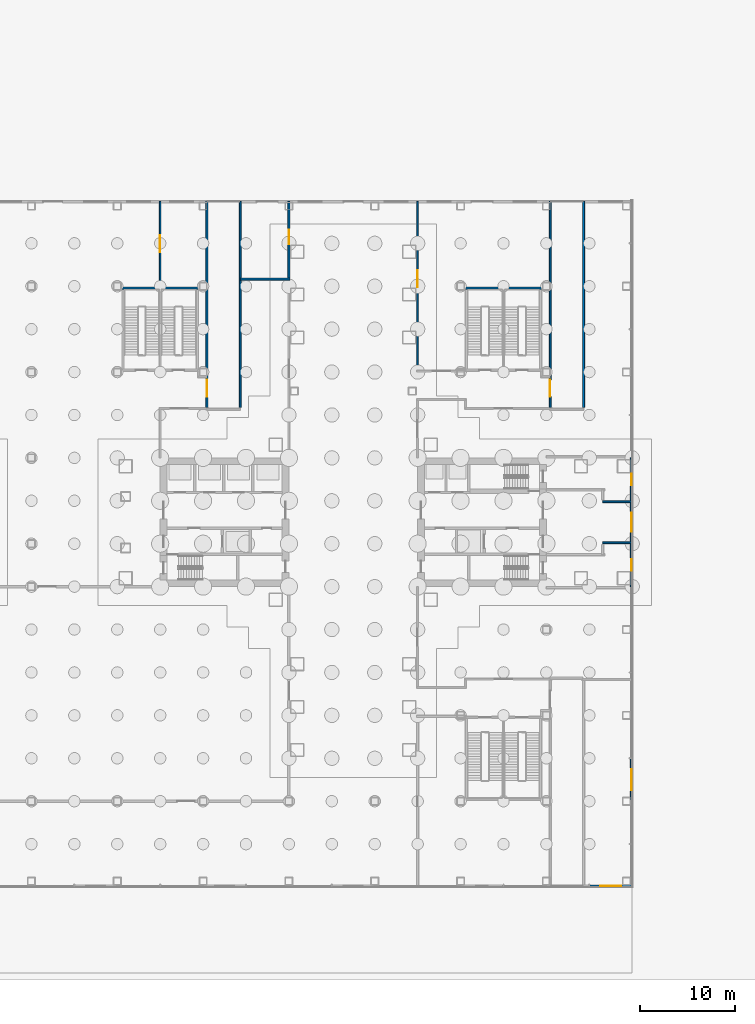
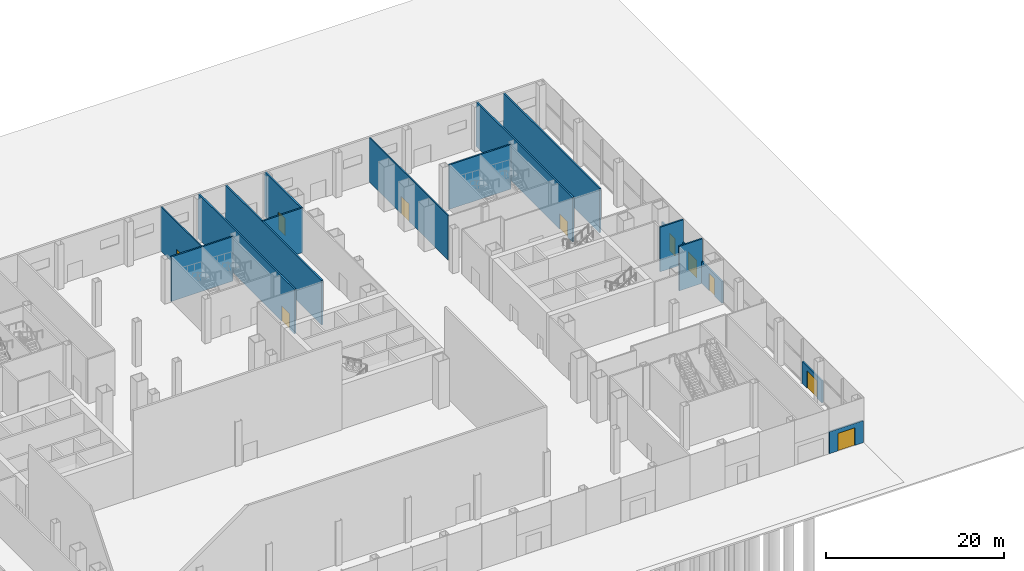
# One storey, part 26 of 37: 17 walls, 10 doors, 10 openings.
"""IFC4 building model written with IfcOpenShell, lengths in metres."""

from ifc_helpers import new_model, si_unit, direction, frame, frame_2d, origin, place, context, subcontext, project, spatial, rectangle, extrude, material, layer, layer_set, type_object, element, fill, save


model = new_model("IFC4")

# Units and contexts
model_context = context("Model", 3, precision=1e-05, world=origin(), true_north=direction((0.0, 1.0)))
body_context = subcontext(model_context, "Body", "Model", "MODEL_VIEW")
ifc_project = project(units=[si_unit("LENGTHUNIT", "METRE"), si_unit("AREAUNIT", "SQUARE_METRE"), si_unit("VOLUMEUNIT", "CUBIC_METRE"), si_unit("PLANEANGLEUNIT", "RADIAN"), si_unit("MASSUNIT", "GRAM", prefix="KILO")], contexts=[model_context])

# Site, building, storey
site_placement = place(None, origin())
site = spatial("IfcSite", under=ifc_project, at=site_placement, CompositionType="ELEMENT")
building_placement = place(site_placement, origin())
building = spatial("IfcBuilding", under=site, at=building_placement, Name="Shamsa Quay Exchange Towers", CompositionType="ELEMENT")
storey_placement = place(building_placement, origin())
storey = spatial("IfcBuildingStorey", under=building, at=storey_placement, Name="L00", CompositionType="ELEMENT", Elevation=0.0)

# Wall, opening, door
ifc_material_1 = material(Name="Aluminium EN AW-6063 T6, black anodised, with black enamelled glass infill", Category="aluminium")
ifc_layer_1 = layer(ifc_material_1, 0.199951171875)
ifc_layer_set_1 = layer_set([ifc_layer_1], Name="ENTRANCE DOOR BAY WALL 200")
wall_type_1 = type_object("IfcWallType", Name="ENTRANCE DOOR BAY WALL 200", PredefinedType="SOLIDWALL", material=ifc_layer_set_1)
wall_1_placement = place(storey_placement, frame((62.89990234375, 6.757080078125, 0.0), z_axis=(0.0, 0.0, 1.0), x_axis=(0.0, -1.0, 0.0)))
wall_1 = element("IfcWall", 1, at=wall_1_placement, inside=storey, type_object=wall_type_1, Name="Entrance bay Service door 1", PredefinedType="SOLIDWALL", context=body_context, shape_type="SweptSolid", body=[
    extrude(rectangle(XDim=4.51416015625, YDim=0.199951171875, at=frame_2d((2.257080078125, 0.0))), origin(), (0.0, 0.0, 1.0), 3.0),
])
opening_1_placement = place(wall_1_placement, frame((1.656982421875, 0.0, 0.0)))
opening_1 = element("IfcOpeningElement", 2, at=opening_1_placement, cuts=wall_1, Name="Opening XD001", PredefinedType="OPENING", context=body_context, shape_type="SweptSolid", body=[
    extrude(rectangle(XDim=1.199951171875, YDim=2.39990234375, at=frame_2d((0.60009765625, 1.199951171875))), frame((0.0, 0.10986328125, 0.0), z_axis=(0.0, -1.0, 0.0), x_axis=(1.0, 0.0, 0.0)), (0.0, 0.0, 1.0), 0.219970703125),
])
ifc_material_2 = material(Name="Aluminium EN AW-6063 T6, black anodised, with laminated glass leaves", Category="aluminium")
door_type_1 = type_object("IfcDoorType", Name="SERVICE DOOR 1200x2400", OperationType="SINGLE_SWING_RIGHT", PredefinedType="DOOR", material=ifc_material_2)
door_1_placement = place(opening_1_placement, origin())
door_1 = element("IfcDoor", 3, at=door_1_placement, inside=storey, type_object=door_type_1, Name="Service door Service door 1", OperationType="SINGLE_SWING_RIGHT", OverallHeight=2.39990234375, OverallWidth=1.199951171875, PredefinedType="DOOR", context=body_context, shape_type="SweptSolid", body=[
    extrude(rectangle(XDim=1.199951171875, YDim=2.39990234375, at=frame_2d((0.60009765625, 1.199951171875))), frame((0.0, 0.02490234375, 0.0), z_axis=(0.0, -1.0, 0.0), x_axis=(1.0, 0.0, 0.0)), (0.0, 0.0, 1.0), 0.050048828125),
])
fill(opening_1, door_1)

wall_2_placement = place(storey_placement, frame((62.89990234375, -2.242919921875, 0.0), z_axis=(0.0, 0.0, 1.0), x_axis=(0.0, -1.0, 0.0)))
wall_2 = element("IfcWall", 4, at=wall_2_placement, inside=storey, type_object=wall_type_1, Name="Entrance bay Service door 2", PredefinedType="SOLIDWALL", context=body_context, shape_type="SweptSolid", body=[
    extrude(rectangle(XDim=4.51416015625, YDim=0.199951171875, at=frame_2d((2.257080078125, 0.0))), origin(), (0.0, 0.0, 1.0), 3.0),
])
opening_2_placement = place(wall_2_placement, frame((1.656982421875, 0.0, 0.0)))
opening_2 = element("IfcOpeningElement", 5, at=opening_2_placement, cuts=wall_2, Name="Opening XD002", PredefinedType="OPENING", context=body_context, shape_type="SweptSolid", body=[
    extrude(rectangle(XDim=1.199951171875, YDim=2.39990234375, at=frame_2d((0.60009765625, 1.199951171875))), frame((0.0, 0.10986328125, 0.0), z_axis=(0.0, -1.0, 0.0), x_axis=(1.0, 0.0, 0.0)), (0.0, 0.0, 1.0), 0.219970703125),
])
door_2_placement = place(opening_2_placement, origin())
door_2 = element("IfcDoor", 6, at=door_2_placement, inside=storey, type_object=door_type_1, Name="Service door Service door 2", OperationType="SINGLE_SWING_RIGHT", OverallHeight=2.39990234375, OverallWidth=1.199951171875, PredefinedType="DOOR", context=body_context, shape_type="SweptSolid", body=[
    extrude(rectangle(XDim=1.199951171875, YDim=2.39990234375, at=frame_2d((0.60009765625, 1.199951171875))), frame((0.0, 0.02490234375, 0.0), z_axis=(0.0, -1.0, 0.0), x_axis=(1.0, 0.0, 0.0)), (0.0, 0.0, 1.0), 0.050048828125),
])
fill(opening_2, door_2)

wall_3_placement = place(storey_placement, frame((62.89990234375, 2.217041015625, 0.0), z_axis=(0.0, 0.0, 1.0), x_axis=(0.0, -1.0, 0.0)))
wall_3 = element("IfcWall", 7, at=wall_3_placement, inside=storey, type_object=wall_type_1, Name="Entrance bay Entrance 3", PredefinedType="SOLIDWALL", context=body_context, shape_type="SweptSolid", body=[
    extrude(rectangle(XDim=4.43408203125, YDim=0.199951171875, at=frame_2d((2.217041015625, 0.0))), origin(), (0.0, 0.0, 1.0), 3.0),
])
opening_3_placement = place(wall_3_placement, frame((1.217041015625, 0.0, 0.0)))
opening_3 = element("IfcOpeningElement", 8, at=opening_3_placement, cuts=wall_3, Name="Opening XD003", PredefinedType="OPENING", context=body_context, shape_type="SweptSolid", body=[
    extrude(rectangle(XDim=2.0, YDim=2.39990234375, at=frame_2d((1.0, 1.199951171875))), frame((0.0, 0.10986328125, 0.0), z_axis=(0.0, -1.0, 0.0), x_axis=(1.0, 0.0, 0.0)), (0.0, 0.0, 1.0), 0.219970703125),
])
door_type_2 = type_object("IfcDoorType", Name="ENTRANCE DOOR 2000x2400", OperationType="DOUBLE_DOOR_SINGLE_SWING", PredefinedType="DOOR", material=ifc_material_2)
door_3_placement = place(opening_3_placement, origin())
door_3 = element("IfcDoor", 9, at=door_3_placement, inside=storey, type_object=door_type_2, Name="Entrance door Entrance 3", OperationType="DOUBLE_DOOR_SINGLE_SWING", OverallHeight=2.39990234375, OverallWidth=2.0, PredefinedType="DOOR", context=body_context, shape_type="SweptSolid", body=[
    extrude(rectangle(XDim=2.0, YDim=2.39990234375, at=frame_2d((1.0, 1.199951171875))), frame((0.0, 0.02490234375, 0.0), z_axis=(0.0, -1.0, 0.0), x_axis=(1.0, 0.0, 0.0)), (0.0, 0.0, 1.0), 0.050048828125),
])
fill(opening_3, door_3)

wall_4_placement = place(storey_placement, frame((62.89990234375, -24.7900390625, 0.0), z_axis=(0.0, 0.0, 1.0), x_axis=(0.0, -1.0, 0.0)))
wall_4 = element("IfcWall", 10, at=wall_4_placement, inside=storey, type_object=wall_type_1, Name="Entrance bay Street door 4", PredefinedType="SOLIDWALL", context=body_context, shape_type="SweptSolid", body=[
    extrude(rectangle(XDim=4.419921875, YDim=0.199951171875, at=frame_2d((2.2099609375, 0.0))), origin(), (0.0, 0.0, 1.0), 3.0),
])
opening_4_placement = place(wall_4_placement, frame((1.110107421875, 0.0, 0.0)))
opening_4 = element("IfcOpeningElement", 11, at=opening_4_placement, cuts=wall_4, Name="Opening XD004", PredefinedType="OPENING", context=body_context, shape_type="SweptSolid", body=[
    extrude(rectangle(XDim=2.199951171875, YDim=2.39990234375, at=frame_2d((1.10009765625, 1.199951171875))), frame((0.0, 0.10986328125, 0.0), z_axis=(0.0, -1.0, 0.0), x_axis=(1.0, 0.0, 0.0)), (0.0, 0.0, 1.0), 0.219970703125),
])
door_type_3 = type_object("IfcDoorType", Name="SHOP DOOR 2200x2400", OperationType="DOUBLE_DOOR_SINGLE_SWING", PredefinedType="DOOR", material=ifc_material_2)
door_4_placement = place(opening_4_placement, origin())
door_4 = element("IfcDoor", 12, at=door_4_placement, inside=storey, type_object=door_type_3, Name="Shop door Street door 4", OperationType="DOUBLE_DOOR_SINGLE_SWING", OverallHeight=2.39990234375, OverallWidth=2.199951171875, PredefinedType="DOOR", context=body_context, shape_type="SweptSolid", body=[
    extrude(rectangle(XDim=2.199951171875, YDim=2.39990234375, at=frame_2d((1.10009765625, 1.199951171875))), frame((0.0, 0.02490234375, 0.0), z_axis=(0.0, -1.0, 0.0), x_axis=(1.0, 0.0, 0.0)), (0.0, 0.0, 1.0), 0.050048828125),
])
fill(opening_4, door_4)

wall_5_placement = place(storey_placement, frame((62.9599609375, -38.14990234375, 0.0), z_axis=(0.0, 0.0, 1.0), x_axis=(-1.0, 0.0, 0.0)))
wall_5 = element("IfcWall", 13, at=wall_5_placement, inside=storey, type_object=wall_type_1, Name="Entrance bay Street door 12", PredefinedType="SOLIDWALL", context=body_context, shape_type="SweptSolid", body=[
    extrude(rectangle(XDim=4.419921875, YDim=0.199951171875, at=frame_2d((2.2099609375, 0.0))), origin(), (0.0, 0.0, 1.0), 3.0),
])
opening_5_placement = place(wall_5_placement, frame((1.110107421875, 0.0, 0.0)))
opening_5 = element("IfcOpeningElement", 14, at=opening_5_placement, cuts=wall_5, Name="Opening XD034", PredefinedType="OPENING", context=body_context, shape_type="SweptSolid", body=[
    extrude(rectangle(XDim=2.199951171875, YDim=2.39990234375, at=frame_2d((1.10009765625, 1.199951171875))), frame((0.0, 0.10986328125, 0.0), z_axis=(0.0, -1.0, 0.0), x_axis=(1.0, 0.0, 0.0)), (0.0, 0.0, 1.0), 0.219970703125),
])
door_5_placement = place(opening_5_placement, origin())
door_5 = element("IfcDoor", 15, at=door_5_placement, inside=storey, type_object=door_type_3, Name="Shop door Street door 12", OperationType="DOUBLE_DOOR_SINGLE_SWING", OverallHeight=2.39990234375, OverallWidth=2.199951171875, PredefinedType="DOOR", context=body_context, shape_type="SweptSolid", body=[
    extrude(rectangle(XDim=2.199951171875, YDim=2.39990234375, at=frame_2d((1.10009765625, 1.199951171875))), frame((0.0, 0.02490234375, 0.0), z_axis=(0.0, -1.0, 0.0), x_axis=(1.0, 0.0, 0.0)), (0.0, 0.0, 1.0), 0.050048828125),
])
fill(opening_5, door_5)

ifc_material_3 = material(Name="Gypsum board partition on metal studs")
ifc_layer_2 = layer(ifc_material_3, 0.14990234375)
ifc_layer_set_2 = layer_set([ifc_layer_2], Name="Partition 150 mm EI 60")
wall_type_2 = type_object("IfcWallType", Name="Partition 150 mm EI 60", PredefinedType="PARTITIONING", material=ifc_layer_set_2)
wall_6_placement = place(storey_placement, frame((40.5, 15.924560546875, 0.0), z_axis=(0.0, 0.0, 1.0), x_axis=(0.0, 1.0, 0.0)))
wall_6 = element("IfcWall", 16, at=wall_6_placement, inside=storey, type_object=wall_type_2, Name="Partition PD-L00-W48", PredefinedType="PARTITIONING", context=body_context, shape_type="SweptSolid", body=[
    extrude(rectangle(XDim=17.73046875, YDim=0.14990234375, at=frame_2d((8.865234375, 0.0))), origin(), (0.0, 0.0, 1.0), 6.10009765625),
])
opening_6_placement = place(wall_6_placement, frame((8.72509765625, 0.0, 0.0)))
opening_6 = element("IfcOpeningElement", 17, at=opening_6_placement, cuts=wall_6, Name="Opening PD-L00-D33", PredefinedType="OPENING", context=body_context, shape_type="SweptSolid", body=[
    extrude(rectangle(XDim=1.800048828125, YDim=2.39990234375, at=frame_2d((0.89990234375, 1.199951171875))), frame((0.0, 0.0849609375, 0.0), z_axis=(0.0, -1.0, 0.0), x_axis=(1.0, 0.0, 0.0)), (0.0, 0.0, 1.0), 0.169921875),
])
ifc_material_4 = material(Name="Timber door leaf in a metal frame", Category="wood")
door_type_4 = type_object("IfcDoorType", Name="Door 1800x2400 FD30S pair", OperationType="NOTDEFINED", PredefinedType="DOOR", material=ifc_material_4)
door_6_placement = place(opening_6_placement, origin())
door_6 = element("IfcDoor", 18, at=door_6_placement, inside=storey, type_object=door_type_4, Name="Door PD-L00-D33", OperationType="DOUBLE_DOOR_SINGLE_SWING", OverallHeight=2.39990234375, OverallWidth=1.800048828125, PredefinedType="DOOR", context=body_context, shape_type="SweptSolid", body=[
    extrude(rectangle(XDim=1.800048828125, YDim=2.39990234375, at=frame_2d((0.89990234375, 1.199951171875))), frame((0.0, 0.02490234375, 0.0), z_axis=(0.0, -1.0, 0.0), x_axis=(1.0, 0.0, 0.0)), (0.0, 0.0, 1.0), 0.050048828125),
])
fill(opening_6, door_6)

wall_7_placement = place(storey_placement, frame((13.5, 24.650390625, 0.0), z_axis=(0.0, 0.0, 1.0), x_axis=(0.0, 1.0, 0.0)))
wall_7 = element("IfcWall", 19, at=wall_7_placement, inside=storey, type_object=wall_type_2, Name="Partition PD-L00-W60", PredefinedType="PARTITIONING", context=body_context, shape_type="SweptSolid", body=[
    extrude(rectangle(XDim=9.004638671875, YDim=0.14990234375, at=frame_2d((4.50244140625, 0.0))), origin(), (0.0, 0.0, 1.0), 6.10009765625),
])
opening_7_placement = place(wall_7_placement, frame((3.64990234375, 0.0, 0.0)))
opening_7 = element("IfcOpeningElement", 20, at=opening_7_placement, cuts=wall_7, Name="Opening PD-L00-D23", PredefinedType="OPENING", context=body_context, shape_type="SweptSolid", body=[
    extrude(rectangle(XDim=1.800048828125, YDim=2.39990234375, at=frame_2d((0.89990234375, 1.199951171875))), frame((0.0, 0.0849609375, 0.0), z_axis=(0.0, -1.0, 0.0), x_axis=(1.0, 0.0, 0.0)), (0.0, 0.0, 1.0), 0.169921875),
])
door_7_placement = place(opening_7_placement, origin())
door_7 = element("IfcDoor", 21, at=door_7_placement, inside=storey, type_object=door_type_4, Name="Door PD-L00-D23", OperationType="DOUBLE_DOOR_SINGLE_SWING", OverallHeight=2.39990234375, OverallWidth=1.800048828125, PredefinedType="DOOR", context=body_context, shape_type="SweptSolid", body=[
    extrude(rectangle(XDim=1.800048828125, YDim=2.39990234375, at=frame_2d((0.89990234375, 1.199951171875))), frame((0.0, 0.02490234375, 0.0), z_axis=(0.0, -1.0, 0.0), x_axis=(1.0, 0.0, 0.0)), (0.0, 0.0, 1.0), 0.050048828125),
])
fill(opening_7, door_7)

# Walls
ifc_layer_3 = layer(ifc_material_3, 0.199951171875)
ifc_layer_set_3 = layer_set([ifc_layer_3], Name="Partition 200 mm EI 120")
wall_type_3 = type_object("IfcWallType", Name="Partition 200 mm EI 120", PredefinedType="PARTITIONING", material=ifc_layer_set_3)
wall_8_placement = place(storey_placement, frame((59.89990234375, 2.14990234375, 0.0)))
element("IfcWall", 22, at=wall_8_placement, inside=storey, type_object=wall_type_3, Name="Partition PD-L00-W16", PredefinedType="PARTITIONING", context=body_context, shape_type="SweptSolid", body=[
    extrude(rectangle(XDim=3.005126953125, YDim=0.199951171875, at=frame_2d((1.50244140625, 0.0))), origin(), (0.0, 0.0, 1.0), 6.10009765625),
])
wall_9_placement = place(storey_placement, frame((62.905029296875, -2.14990234375, 0.0), z_axis=(0.0, 0.0, 1.0), x_axis=(-1.0, 0.0, 0.0)))
element("IfcWall", 23, at=wall_9_placement, inside=storey, type_object=wall_type_3, Name="Partition PD-L00-W22", PredefinedType="PARTITIONING", context=body_context, shape_type="SweptSolid", body=[
    extrude(rectangle(XDim=3.005126953125, YDim=0.199951171875, at=frame_2d((1.50244140625, 0.0))), origin(), (0.0, 0.0, 1.0), 6.10009765625),
])

# Wall, opening, door
wall_10_placement = place(storey_placement, frame((18.39990234375, 33.655029296875, 0.0), z_axis=(0.0, 0.0, 1.0), x_axis=(0.0, -1.0, 0.0)))
wall_10 = element("IfcWall", 24, at=wall_10_placement, inside=storey, type_object=wall_type_3, Name="Partition PD-L00-W34", PredefinedType="PARTITIONING", context=body_context, shape_type="SweptSolid", body=[
    extrude(rectangle(XDim=21.604736328125, YDim=0.199951171875, at=frame_2d((10.80224609375, 0.0))), origin(), (0.0, 0.0, 1.0), 6.10009765625),
])
opening_8_placement = place(wall_10_placement, frame((18.704833984375, 0.0, 0.0)))
opening_8 = element("IfcOpeningElement", 25, at=opening_8_placement, cuts=wall_10, Name="Opening PD-L00-D24", PredefinedType="OPENING", context=body_context, shape_type="SweptSolid", body=[
    extrude(rectangle(XDim=1.800048828125, YDim=2.10009765625, at=frame_2d((0.89990234375, 1.050048828125))), frame((0.0, 0.10986328125, 0.0), z_axis=(0.0, -1.0, 0.0), x_axis=(1.0, 0.0, 0.0)), (0.0, 0.0, 1.0), 0.219970703125),
])
door_type_5 = type_object("IfcDoorType", Name="Door 1800x2100 FD90 pair", OperationType="NOTDEFINED", PredefinedType="DOOR", material=ifc_material_4)
door_8_placement = place(opening_8_placement, origin())
door_8 = element("IfcDoor", 26, at=door_8_placement, inside=storey, type_object=door_type_5, Name="Door PD-L00-D24", OperationType="DOUBLE_DOOR_SINGLE_SWING", OverallHeight=2.10009765625, OverallWidth=1.800048828125, PredefinedType="DOOR", context=body_context, shape_type="SweptSolid", body=[
    extrude(rectangle(XDim=1.800048828125, YDim=2.10009765625, at=frame_2d((0.89990234375, 1.050048828125))), frame((0.0, 0.02490234375, 0.0), z_axis=(0.0, -1.0, 0.0), x_axis=(1.0, 0.0, 0.0)), (0.0, 0.0, 1.0), 0.050048828125),
])
fill(opening_8, door_8)

# Wall
wall_11_placement = place(storey_placement, frame((21.89990234375, 12.05029296875, 0.0), z_axis=(0.0, 0.0, 1.0), x_axis=(0.0, 1.0, 0.0)))
element("IfcWall", 27, at=wall_11_placement, inside=storey, type_object=wall_type_3, Name="Partition PD-L00-W35", PredefinedType="PARTITIONING", context=body_context, shape_type="SweptSolid", body=[
    extrude(rectangle(XDim=21.604736328125, YDim=0.199951171875, at=frame_2d((10.80224609375, 0.0))), origin(), (0.0, 0.0, 1.0), 6.10009765625),
])

# Wall, opening, door
wall_12_placement = place(storey_placement, frame((54.39990234375, 33.655029296875, 0.0), z_axis=(0.0, 0.0, 1.0), x_axis=(0.0, -1.0, 0.0)))
wall_12 = element("IfcWall", 28, at=wall_12_placement, inside=storey, type_object=wall_type_3, Name="Partition PD-L00-W36", PredefinedType="PARTITIONING", context=body_context, shape_type="SweptSolid", body=[
    extrude(rectangle(XDim=21.604736328125, YDim=0.199951171875, at=frame_2d((10.80224609375, 0.0))), origin(), (0.0, 0.0, 1.0), 6.10009765625),
])
opening_9_placement = place(wall_12_placement, frame((18.704833984375, 0.0, 0.0)))
opening_9 = element("IfcOpeningElement", 29, at=opening_9_placement, cuts=wall_12, Name="Opening PD-L00-D37", PredefinedType="OPENING", context=body_context, shape_type="SweptSolid", body=[
    extrude(rectangle(XDim=1.800048828125, YDim=2.10009765625, at=frame_2d((0.89990234375, 1.050048828125))), frame((0.0, 0.10986328125, 0.0), z_axis=(0.0, -1.0, 0.0), x_axis=(1.0, 0.0, 0.0)), (0.0, 0.0, 1.0), 0.219970703125),
])
door_9_placement = place(opening_9_placement, origin())
door_9 = element("IfcDoor", 30, at=door_9_placement, inside=storey, type_object=door_type_5, Name="Door PD-L00-D37", OperationType="DOUBLE_DOOR_SINGLE_SWING", OverallHeight=2.10009765625, OverallWidth=1.800048828125, PredefinedType="DOOR", context=body_context, shape_type="SweptSolid", body=[
    extrude(rectangle(XDim=1.800048828125, YDim=2.10009765625, at=frame_2d((0.89990234375, 1.050048828125))), frame((0.0, 0.02490234375, 0.0), z_axis=(0.0, -1.0, 0.0), x_axis=(1.0, 0.0, 0.0)), (0.0, 0.0, 1.0), 0.050048828125),
])
fill(opening_9, door_9)

# Wall
wall_13_placement = place(storey_placement, frame((57.89990234375, 12.05029296875, 0.0), z_axis=(0.0, 0.0, 1.0), x_axis=(0.0, 1.0, 0.0)))
element("IfcWall", 31, at=wall_13_placement, inside=storey, type_object=wall_type_3, Name="Partition PD-L00-W39", PredefinedType="PARTITIONING", context=body_context, shape_type="SweptSolid", body=[
    extrude(rectangle(XDim=21.604736328125, YDim=0.199951171875, at=frame_2d((10.80224609375, 0.0))), origin(), (0.0, 0.0, 1.0), 6.10009765625),
])

# Wall, opening, door
wall_14_placement = place(storey_placement, frame((27.0, 25.60009765625, 0.0), z_axis=(0.0, 0.0, 1.0), x_axis=(0.0, 1.0, 0.0)))
wall_14 = element("IfcWall", 32, at=wall_14_placement, inside=storey, type_object=wall_type_3, Name="Partition PD-L00-W50", PredefinedType="PARTITIONING", context=body_context, shape_type="SweptSolid", body=[
    extrude(rectangle(XDim=8.054931640625, YDim=0.199951171875, at=frame_2d((4.02734375, 0.0))), origin(), (0.0, 0.0, 1.0), 6.10009765625),
])
opening_10_placement = place(wall_14_placement, frame((3.574951171875, 0.0, 0.0)))
opening_10 = element("IfcOpeningElement", 33, at=opening_10_placement, cuts=wall_14, Name="Opening PD-L00-D28", PredefinedType="OPENING", context=body_context, shape_type="SweptSolid", body=[
    extrude(rectangle(XDim=1.5, YDim=2.39990234375, at=frame_2d((0.75, 1.199951171875))), frame((0.0, 0.10986328125, 0.0), z_axis=(0.0, -1.0, 0.0), x_axis=(1.0, 0.0, 0.0)), (0.0, 0.0, 1.0), 0.219970703125),
])
door_type_6 = type_object("IfcDoorType", Name="Door 1500x2400 FD60 pair", OperationType="NOTDEFINED", PredefinedType="DOOR", material=ifc_material_4)
door_10_placement = place(opening_10_placement, origin())
door_10 = element("IfcDoor", 34, at=door_10_placement, inside=storey, type_object=door_type_6, Name="Door PD-L00-D28", OperationType="DOUBLE_DOOR_SINGLE_SWING", OverallHeight=2.39990234375, OverallWidth=1.5, PredefinedType="DOOR", context=body_context, shape_type="SweptSolid", body=[
    extrude(rectangle(XDim=1.5, YDim=2.39990234375, at=frame_2d((0.75, 1.199951171875))), frame((0.0, 0.02490234375, 0.0), z_axis=(0.0, -1.0, 0.0), x_axis=(1.0, 0.0, 0.0)), (0.0, 0.0, 1.0), 0.050048828125),
])
fill(opening_10, door_10)

# Walls
wall_15_placement = place(storey_placement, frame((27.10009765625, 25.5, 0.0), z_axis=(0.0, 0.0, 1.0), x_axis=(-1.0, 0.0, 0.0)))
element("IfcWall", 35, at=wall_15_placement, inside=storey, type_object=wall_type_3, Name="Partition PD-L00-W107", PredefinedType="PARTITIONING", context=body_context, shape_type="SweptSolid", body=[
    extrude(rectangle(XDim=5.2001953125, YDim=0.199951171875, at=frame_2d((2.60009765625, 0.0))), origin(), (0.0, 0.0, 1.0), 6.10009765625),
])
ifc_material_5 = material(Name="Concrete C50/60", Category="concrete")
ifc_layer_4 = layer(ifc_material_5, 0.199951171875)
ifc_layer_set_4 = layer_set([ifc_layer_4], Name="STAIR ENCLOSURE WALL 200 C50/60")
wall_type_4 = type_object("IfcWallType", Name="STAIR ENCLOSURE WALL 200 C50/60", PredefinedType="SHEAR", material=ifc_layer_set_4)
for number, where, name in (
    (36, (9.5, 24.550048828125, 0.0), "Stair enclosure wall PS3 outward"),
    (37, (45.5, 24.550048828125, 0.0), "Stair enclosure wall PS4 outward"),
):
    element("IfcWall", number, at=place(storey_placement, frame(where)), inside=storey, type_object=wall_type_4, Name=name, PredefinedType="SHEAR", context=body_context, shape_type="SweptSolid", body=[
        extrude(rectangle(XDim=8.0, YDim=0.199951171875, at=frame_2d((4.0, 0.0))), origin(), (0.0, 0.0, 1.0), 6.10009765625),
    ])

save(model, "model.ifc")
